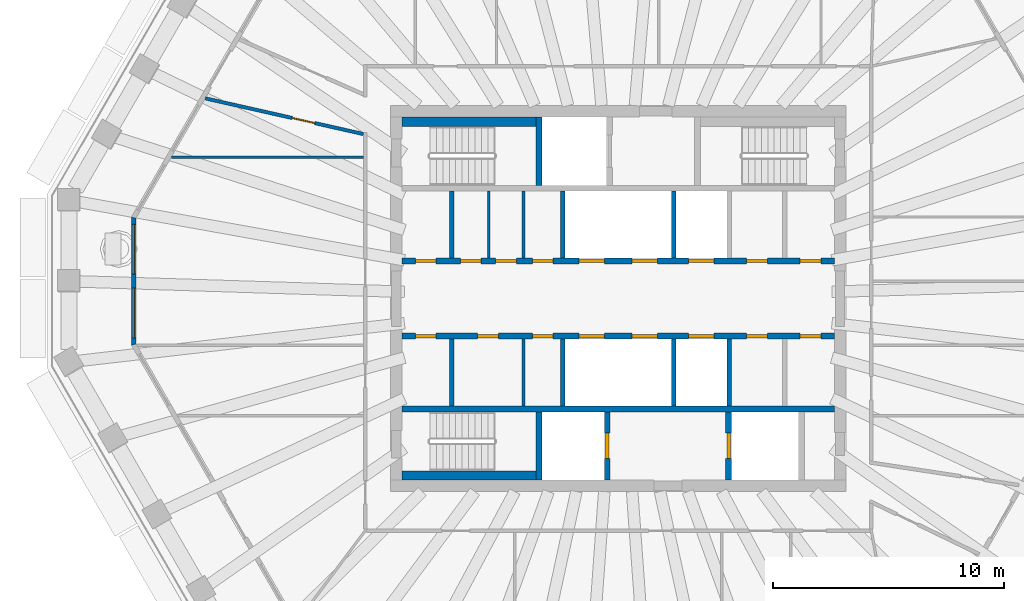
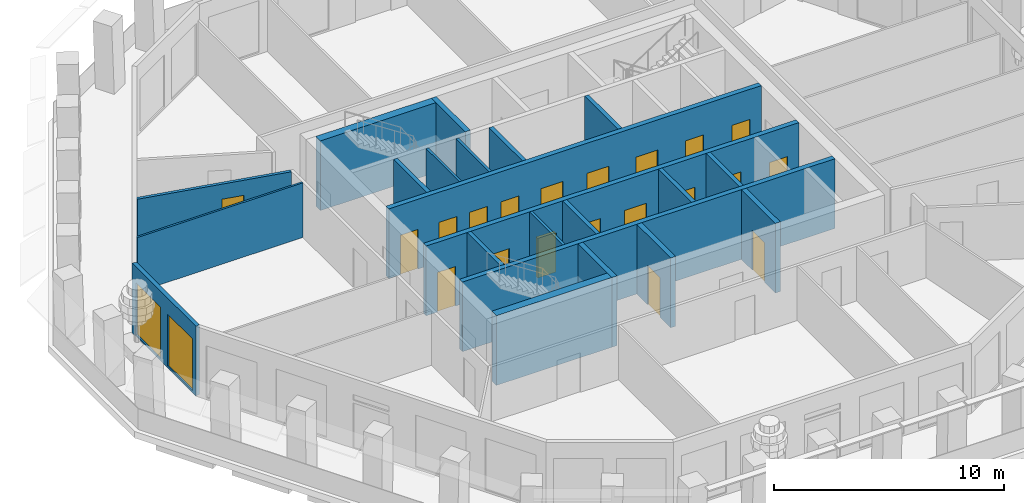
# One storey, part 4 of 11: 22 walls, 20 doors, 2 windows, 22 openings.
"""IFC4 building model written with IfcOpenShell, lengths in metres."""

from ifc_helpers import new_model, si_unit, direction, frame, frame_2d, origin, place, context, subcontext, project, spatial, polyline, rectangle, outline, extrude, material, layer, layer_set, type_object, element, fill, save


model = new_model("IFC4")

# Units and contexts
model_context = context("Model", 3, precision=1e-05, world=origin(), true_north=direction((0.0, 1.0)))
body_context = subcontext(model_context, "Body", "Model", "MODEL_VIEW")
ifc_project = project(units=[si_unit("LENGTHUNIT", "METRE"), si_unit("AREAUNIT", "SQUARE_METRE"), si_unit("VOLUMEUNIT", "CUBIC_METRE"), si_unit("PLANEANGLEUNIT", "RADIAN"), si_unit("MASSUNIT", "GRAM", prefix="KILO")], contexts=[model_context])

# Site, building, storey
site_placement = place(None, origin())
site = spatial("IfcSite", under=ifc_project, at=site_placement, CompositionType="ELEMENT")
building_placement = place(site_placement, origin())
building = spatial("IfcBuilding", under=site, at=building_placement, Name="Frailejon Research Tower", CompositionType="ELEMENT")
storey_placement = place(building_placement, frame((0.0, 0.0, 287.0)))
storey = spatial("IfcBuildingStorey", under=building, at=storey_placement, Name="L63", CompositionType="ELEMENT", Elevation=287.0)

# Walls
ifc_material_1 = material(Name="Plasterboard on steel studs", Category="steel")
ifc_layer_1 = layer(ifc_material_1, 0.125)
ifc_layer_set_1 = layer_set([ifc_layer_1], Name="Core partition 125")
wall_type_1 = type_object("IfcWallType", Name="Core partition 125", PredefinedType="PARTITIONING", material=ifc_layer_set_1)
for number, where, z_axis, x_axis, name in (
    (1, (-5.60009765625, 1.75, 0.0), (0.0, 0.0, 1.0), (0.0, 1.0, 0.0), "Core partition"),
    (2, (-4.10009765625, 1.75, 0.0), (0.0, 0.0, 1.0), (0.0, 1.0, 0.0), "Core partition"),
    (3, (-4.10009765625, -4.64990234375, 0.0), (0.0, 0.0, 1.0), (0.0, 1.0, 0.0), "Core partition"),
):
    element("IfcWall", number, at=place(storey_placement, frame(where, z_axis=z_axis, x_axis=x_axis)), inside=storey, type_object=wall_type_1, Name=name, PredefinedType="PARTITIONING", context=body_context, shape_type="SweptSolid", body=[
        extrude(rectangle(XDim=2.89990234375, YDim=0.125, at=frame_2d((1.449951171875, 0.0))), origin(), (0.0, 0.0, 1.0), 3.699951171875),
    ])

# Wall, opening, door
ifc_material_2 = material(Name="Gypsum board and masonry partition", Category="masonry")
ifc_layer_2 = layer(ifc_material_2, 0.14990234375)
ifc_layer_set_2 = layer_set([ifc_layer_2], Name="Corridor wall EI 60, gypsum on steel studs 150")
wall_type_2 = type_object("IfcWallType", Name="Corridor wall EI 60, gypsum on steel studs 150", PredefinedType="PARTITIONING", material=ifc_layer_set_2)
wall_1_placement = place(storey_placement, frame((-17.866943359375, 8.662109375, 0.0), z_axis=(0.0, 0.0, 1.0), x_axis=(0.975432078053, -0.220300388347, 0.0)))
wall_1 = element("IfcWall", 4, at=wall_1_placement, inside=storey, type_object=wall_type_2, Name="T:IW:L63:002", PredefinedType="PARTITIONING", context=body_context, shape_type="SweptSolid", body=[
    extrude(rectangle(XDim=7.01611328125, YDim=0.14990234375, at=frame_2d((3.508056640625, 0.0))), origin(), (0.0, 0.0, 1.0), 2.89990234375),
])
opening_1_placement = place(wall_1_placement, frame((3.854248046875, 0.0, 0.0)))
opening_1 = element("IfcOpeningElement", 5, at=opening_1_placement, cuts=wall_1, Name="Opening D2213", PredefinedType="OPENING", context=body_context, shape_type="SweptSolid", body=[
    extrude(rectangle(XDim=1.0, YDim=2.10009765625, at=frame_2d((0.5, 1.050048828125))), frame((0.0, 0.0849609375, 0.0), z_axis=(0.0, -1.0, 0.0), x_axis=(1.0, 0.0, 0.0)), (0.0, 0.0, 1.0), 0.169921875),
])
ifc_material_3 = material(Name="Timber door leaf", Category="wood")
door_type_1 = type_object("IfcDoorType", Name="Door single leaf, timber, steel frame 1000", OperationType="NOTDEFINED", PredefinedType="DOOR", material=ifc_material_3)
door_1_placement = place(opening_1_placement, origin())
door_1 = element("IfcDoor", 6, at=door_1_placement, inside=storey, type_object=door_type_1, Name="D2213", OperationType="SINGLE_SWING_LEFT", OverallHeight=2.10009765625, OverallWidth=1.0, PredefinedType="DOOR", context=body_context, shape_type="SweptSolid", body=[
    extrude(rectangle(XDim=1.0, YDim=2.10009765625, at=frame_2d((0.5, 1.050048828125))), frame((0.0, 0.02490234375, 0.0), z_axis=(0.0, -1.0, 0.0), x_axis=(1.0, 0.0, 0.0)), (0.0, 0.0, 1.0), 0.050048828125),
])
fill(opening_1, door_1)

# Walls
ifc_material_4 = material(Name="Gypsum board and masonry partition", Category="masonry")
ifc_layer_3 = layer(ifc_material_4, 0.10009765625)
ifc_layer_set_3 = layer_set([ifc_layer_3], Name="Partition, gypsum on steel studs 100")
wall_type_3 = type_object("IfcWallType", Name="Partition, gypsum on steel studs 100", PredefinedType="PARTITIONING", material=ifc_layer_set_3)
wall_2_placement = place(storey_placement, frame((-19.334228515625, 6.12060546875, 0.0), z_axis=(0.0, 0.0, 1.0), x_axis=(1.0, 0.0, 0.0)))
element("IfcWall", 7, at=wall_2_placement, inside=storey, type_object=wall_type_3, Name="T:IW:L63:019", PredefinedType="PARTITIONING", context=body_context, shape_type="SweptSolid", body=[
    extrude(rectangle(XDim=8.309326171875, YDim=0.10009765625, at=frame_2d((4.15478515625, 0.0))), origin(), (0.0, 0.0, 1.0), 2.89990234375),
])
ifc_material_5 = material(Name="Concrete C50/60", Category="concrete")
ifc_layer_4 = layer(ifc_material_5, 0.199951171875)
ifc_layer_set_4 = layer_set([ifc_layer_4], Name="Shaft wall 200 C50/60")
wall_type_4 = type_object("IfcWallType", Name="Shaft wall 200 C50/60", PredefinedType="SOLIDWALL", material=ifc_layer_set_4)
for number, where, z_axis, x_axis, name in (
    (8, (-7.199951171875, 1.75, 0.0), (0.0, 0.0, 1.0), (0.0, 1.0, 0.0), "Shaft wall"),
    (9, (-2.39990234375, 1.75, 0.0), (0.0, 0.0, 1.0), (0.0, 1.0, 0.0), "Shaft wall"),
    (10, (2.39990234375, 1.75, 0.0), (0.0, 0.0, 1.0), (0.0, 1.0, 0.0), "Shaft wall"),
    (11, (-7.199951171875, -4.64990234375, 0.0), (0.0, 0.0, 1.0), (0.0, 1.0, 0.0), "Shaft wall"),
    (12, (-2.39990234375, -4.64990234375, 0.0), (0.0, 0.0, 1.0), (0.0, 1.0, 0.0), "Shaft wall"),
    (13, (2.39990234375, -4.64990234375, 0.0), (0.0, 0.0, 1.0), (0.0, 1.0, 0.0), "Shaft wall"),
    (14, (4.800048828125, -4.64990234375, 0.0), (0.0, 0.0, 1.0), (0.0, 1.0, 0.0), "Shaft wall"),
):
    element("IfcWall", number, at=place(storey_placement, frame(where, z_axis=z_axis, x_axis=x_axis)), inside=storey, type_object=wall_type_4, Name=name, PredefinedType="SOLIDWALL", context=body_context, shape_type="SweptSolid", body=[
        extrude(rectangle(XDim=2.89990234375, YDim=0.199951171875, at=frame_2d((1.449951171875, 0.0))), origin(), (0.0, 0.0, 1.0), 3.699951171875),
    ])

# Wall, openings, doors
ifc_material_6 = material(Name="Concrete C50/60", Category="concrete")
ifc_layer_5 = layer(ifc_material_6, 0.25)
ifc_layer_set_5 = layer_set([ifc_layer_5], Name="Shaft wall 250 C50/60")
wall_type_5 = type_object("IfcWallType", Name="Shaft wall 250 C50/60", PredefinedType="SOLIDWALL", material=ifc_layer_set_5)
wall_3_placement = place(storey_placement, frame((-9.35009765625, 1.625, 0.0), z_axis=(0.0, 0.0, 1.0), x_axis=(1.0, 0.0, 0.0)))
wall_3 = element("IfcWall", 15, at=wall_3_placement, inside=storey, type_object=wall_type_5, Name="Shaft wall", PredefinedType="SOLIDWALL", context=body_context, shape_type="SweptSolid", body=[
    extrude(rectangle(XDim=18.7001953125, YDim=0.25, at=frame_2d((9.35009765625, 0.0))), origin(), (0.0, 0.0, 1.0), 3.699951171875),
])
opening_2_placement = place(wall_3_placement, frame((7.64990234375, 0.0, 0.0)))
opening_2 = element("IfcOpeningElement", 16, at=opening_2_placement, cuts=wall_3, Name="Opening LD", PredefinedType="OPENING", context=body_context, shape_type="SweptSolid", body=[
    extrude(rectangle(XDim=1.10009765625, YDim=2.10009765625, at=frame_2d((0.550048828125, 1.050048828125))), frame((0.0, 0.135009765625, 0.0), z_axis=(0.0, -1.0, 0.0), x_axis=(1.0, 0.0, 0.0)), (0.0, 0.0, 1.0), 0.27001953125),
])
opening_3_placement = place(wall_3_placement, frame((9.949951171875, 0.0, 0.0)))
opening_3 = element("IfcOpeningElement", 17, at=opening_3_placement, cuts=wall_3, Name="Opening LD", PredefinedType="OPENING", context=body_context, shape_type="SweptSolid", body=[
    extrude(rectangle(XDim=1.10009765625, YDim=2.10009765625, at=frame_2d((0.550048828125, 1.050048828125))), frame((0.0, 0.135009765625, 0.0), z_axis=(0.0, -1.0, 0.0), x_axis=(1.0, 0.0, 0.0)), (0.0, 0.0, 1.0), 0.27001953125),
])
opening_4_placement = place(wall_3_placement, frame((12.39990234375, 0.0, 0.0)))
opening_4 = element("IfcOpeningElement", 18, at=opening_4_placement, cuts=wall_3, Name="Opening LD", PredefinedType="OPENING", context=body_context, shape_type="SweptSolid", body=[
    extrude(rectangle(XDim=1.10009765625, YDim=2.10009765625, at=frame_2d((0.550048828125, 1.050048828125))), frame((0.0, 0.135009765625, 0.0), z_axis=(0.0, -1.0, 0.0), x_axis=(1.0, 0.0, 0.0)), (0.0, 0.0, 1.0), 0.27001953125),
])
opening_5_placement = place(wall_3_placement, frame((0.574951171875, 0.0, 0.0)))
opening_5 = element("IfcOpeningElement", 19, at=opening_5_placement, cuts=wall_3, Name="Opening D8", PredefinedType="OPENING", context=body_context, shape_type="SweptSolid", body=[
    extrude(rectangle(XDim=0.89990234375, YDim=2.10009765625, at=frame_2d((0.449951171875, 1.050048828125))), frame((0.0, 0.135009765625, 0.0), z_axis=(0.0, -1.0, 0.0), x_axis=(1.0, 0.0, 0.0)), (0.0, 0.0, 1.0), 0.27001953125),
])
opening_6_placement = place(wall_3_placement, frame((2.518798828125, 0.0, 0.0)))
opening_6 = element("IfcOpeningElement", 20, at=opening_6_placement, cuts=wall_3, Name="Opening D8", PredefinedType="OPENING", context=body_context, shape_type="SweptSolid", body=[
    extrude(rectangle(XDim=0.89990234375, YDim=2.10009765625, at=frame_2d((0.449951171875, 1.050048828125))), frame((0.0, 0.135009765625, 0.0), z_axis=(0.0, -1.0, 0.0), x_axis=(1.0, 0.0, 0.0)), (0.0, 0.0, 1.0), 0.27001953125),
])
opening_7_placement = place(wall_3_placement, frame((4.050048828125, 0.0, 0.0)))
opening_7 = element("IfcOpeningElement", 21, at=opening_7_placement, cuts=wall_3, Name="Opening D8", PredefinedType="OPENING", context=body_context, shape_type="SweptSolid", body=[
    extrude(rectangle(XDim=0.89990234375, YDim=2.10009765625, at=frame_2d((0.449951171875, 1.050048828125))), frame((0.0, 0.135009765625, 0.0), z_axis=(0.0, -1.0, 0.0), x_axis=(1.0, 0.0, 0.0)), (0.0, 0.0, 1.0), 0.27001953125),
])
opening_8_placement = place(wall_3_placement, frame((5.631103515625, 0.0, 0.0)))
opening_8 = element("IfcOpeningElement", 22, at=opening_8_placement, cuts=wall_3, Name="Opening D8", PredefinedType="OPENING", context=body_context, shape_type="SweptSolid", body=[
    extrude(rectangle(XDim=0.89990234375, YDim=2.10009765625, at=frame_2d((0.449951171875, 1.050048828125))), frame((0.0, 0.135009765625, 0.0), z_axis=(0.0, -1.0, 0.0), x_axis=(1.0, 0.0, 0.0)), (0.0, 0.0, 1.0), 0.27001953125),
])
opening_9_placement = place(wall_3_placement, frame((14.89990234375, 0.0, 0.0)))
opening_9 = element("IfcOpeningElement", 23, at=opening_9_placement, cuts=wall_3, Name="Opening D8", PredefinedType="OPENING", context=body_context, shape_type="SweptSolid", body=[
    extrude(rectangle(XDim=0.89990234375, YDim=2.10009765625, at=frame_2d((0.449951171875, 1.050048828125))), frame((0.0, 0.135009765625, 0.0), z_axis=(0.0, -1.0, 0.0), x_axis=(1.0, 0.0, 0.0)), (0.0, 0.0, 1.0), 0.27001953125),
])
opening_10_placement = place(wall_3_placement, frame((17.22509765625, 0.0, 0.0)))
opening_10 = element("IfcOpeningElement", 24, at=opening_10_placement, cuts=wall_3, Name="Opening D8", PredefinedType="OPENING", context=body_context, shape_type="SweptSolid", body=[
    extrude(rectangle(XDim=0.89990234375, YDim=2.10009765625, at=frame_2d((0.449951171875, 1.050048828125))), frame((0.0, 0.135009765625, 0.0), z_axis=(0.0, -1.0, 0.0), x_axis=(1.0, 0.0, 0.0)), (0.0, 0.0, 1.0), 0.27001953125),
])
ifc_material_7 = material(Name="Steel", Category="steel")
door_type_2 = type_object("IfcDoorType", Name="Core room door", OperationType="SINGLE_SWING_LEFT", PredefinedType="DOOR", material=ifc_material_7)
door_2_placement = place(opening_5_placement, origin())
door_2 = element("IfcDoor", 25, at=door_2_placement, inside=storey, type_object=door_type_2, Name="Room door", OperationType="SINGLE_SWING_RIGHT", OverallHeight=2.10009765625, OverallWidth=0.89990234375, PredefinedType="DOOR", context=body_context, shape_type="SweptSolid", body=[
    extrude(rectangle(XDim=0.89990234375, YDim=2.10009765625, at=frame_2d((0.449951171875, 1.050048828125))), frame((0.0, 0.074951171875, 0.0), z_axis=(0.0, -1.0, 0.0), x_axis=(1.0, 0.0, 0.0)), (0.0, 0.0, 1.0), 0.14990234375),
])
fill(opening_5, door_2)
door_3_placement = place(opening_6_placement, origin())
door_3 = element("IfcDoor", 26, at=door_3_placement, inside=storey, type_object=door_type_2, Name="Room door", OperationType="SINGLE_SWING_LEFT", OverallHeight=2.10009765625, OverallWidth=0.89990234375, PredefinedType="DOOR", context=body_context, shape_type="SweptSolid", body=[
    extrude(rectangle(XDim=0.89990234375, YDim=2.10009765625, at=frame_2d((0.449951171875, 1.050048828125))), frame((0.0, 0.074951171875, 0.0), z_axis=(0.0, -1.0, 0.0), x_axis=(1.0, 0.0, 0.0)), (0.0, 0.0, 1.0), 0.14990234375),
])
fill(opening_6, door_3)
door_4_placement = place(opening_7_placement, origin())
door_4 = element("IfcDoor", 27, at=door_4_placement, inside=storey, type_object=door_type_2, Name="Room door", OperationType="SINGLE_SWING_RIGHT", OverallHeight=2.10009765625, OverallWidth=0.89990234375, PredefinedType="DOOR", context=body_context, shape_type="SweptSolid", body=[
    extrude(rectangle(XDim=0.89990234375, YDim=2.10009765625, at=frame_2d((0.449951171875, 1.050048828125))), frame((0.0, 0.074951171875, 0.0), z_axis=(0.0, -1.0, 0.0), x_axis=(1.0, 0.0, 0.0)), (0.0, 0.0, 1.0), 0.14990234375),
])
fill(opening_7, door_4)
door_5_placement = place(opening_8_placement, origin())
door_5 = element("IfcDoor", 28, at=door_5_placement, inside=storey, type_object=door_type_2, Name="Room door", OperationType="SINGLE_SWING_LEFT", OverallHeight=2.10009765625, OverallWidth=0.89990234375, PredefinedType="DOOR", context=body_context, shape_type="SweptSolid", body=[
    extrude(rectangle(XDim=0.89990234375, YDim=2.10009765625, at=frame_2d((0.449951171875, 1.050048828125))), frame((0.0, 0.074951171875, 0.0), z_axis=(0.0, -1.0, 0.0), x_axis=(1.0, 0.0, 0.0)), (0.0, 0.0, 1.0), 0.14990234375),
])
fill(opening_8, door_5)
door_6_placement = place(opening_9_placement, origin())
door_6 = element("IfcDoor", 29, at=door_6_placement, inside=storey, type_object=door_type_2, Name="Room door", OperationType="SINGLE_SWING_RIGHT", OverallHeight=2.10009765625, OverallWidth=0.89990234375, PredefinedType="DOOR", context=body_context, shape_type="SweptSolid", body=[
    extrude(rectangle(XDim=0.89990234375, YDim=2.10009765625, at=frame_2d((0.449951171875, 1.050048828125))), frame((0.0, 0.074951171875, 0.0), z_axis=(0.0, -1.0, 0.0), x_axis=(1.0, 0.0, 0.0)), (0.0, 0.0, 1.0), 0.14990234375),
])
fill(opening_9, door_6)
door_7_placement = place(opening_10_placement, origin())
door_7 = element("IfcDoor", 30, at=door_7_placement, inside=storey, type_object=door_type_2, Name="Room door", OperationType="SINGLE_SWING_LEFT", OverallHeight=2.10009765625, OverallWidth=0.89990234375, PredefinedType="DOOR", context=body_context, shape_type="SweptSolid", body=[
    extrude(rectangle(XDim=0.89990234375, YDim=2.10009765625, at=frame_2d((0.449951171875, 1.050048828125))), frame((0.0, 0.074951171875, 0.0), z_axis=(0.0, -1.0, 0.0), x_axis=(1.0, 0.0, 0.0)), (0.0, 0.0, 1.0), 0.14990234375),
])
fill(opening_10, door_7)
ifc_material_8 = material(Name="Steel", Category="steel")
door_type_3 = type_object("IfcDoorType", Name="Lift landing door", OperationType="DOUBLE_DOOR_SLIDING", PredefinedType="DOOR", material=ifc_material_8)
door_8_placement = place(opening_2_placement, origin())
door_8 = element("IfcDoor", 31, at=door_8_placement, inside=storey, type_object=door_type_3, Name="Lift landing door", OperationType="DOUBLE_DOOR_SLIDING", OverallHeight=2.10009765625, OverallWidth=1.10009765625, PredefinedType="DOOR", context=body_context, shape_type="SweptSolid", body=[
    extrude(rectangle(XDim=1.10009765625, YDim=2.10009765625, at=frame_2d((0.550048828125, 1.050048828125))), frame((0.0, 0.074951171875, 0.0), z_axis=(0.0, -1.0, 0.0), x_axis=(1.0, 0.0, 0.0)), (0.0, 0.0, 1.0), 0.14990234375),
])
fill(opening_2, door_8)
door_9_placement = place(opening_3_placement, origin())
door_9 = element("IfcDoor", 32, at=door_9_placement, inside=storey, type_object=door_type_3, Name="Lift landing door", OperationType="DOUBLE_DOOR_SLIDING", OverallHeight=2.10009765625, OverallWidth=1.10009765625, PredefinedType="DOOR", context=body_context, shape_type="SweptSolid", body=[
    extrude(rectangle(XDim=1.10009765625, YDim=2.10009765625, at=frame_2d((0.550048828125, 1.050048828125))), frame((0.0, 0.074951171875, 0.0), z_axis=(0.0, -1.0, 0.0), x_axis=(1.0, 0.0, 0.0)), (0.0, 0.0, 1.0), 0.14990234375),
])
fill(opening_3, door_9)
door_10_placement = place(opening_4_placement, origin())
door_10 = element("IfcDoor", 33, at=door_10_placement, inside=storey, type_object=door_type_3, Name="Lift landing door", OperationType="DOUBLE_DOOR_SLIDING", OverallHeight=2.10009765625, OverallWidth=1.10009765625, PredefinedType="DOOR", context=body_context, shape_type="SweptSolid", body=[
    extrude(rectangle(XDim=1.10009765625, YDim=2.10009765625, at=frame_2d((0.550048828125, 1.050048828125))), frame((0.0, 0.074951171875, 0.0), z_axis=(0.0, -1.0, 0.0), x_axis=(1.0, 0.0, 0.0)), (0.0, 0.0, 1.0), 0.14990234375),
])
fill(opening_4, door_10)

wall_4_placement = place(storey_placement, frame((-9.35009765625, -1.625, 0.0), z_axis=(0.0, 0.0, 1.0), x_axis=(1.0, 0.0, 0.0)))
wall_4 = element("IfcWall", 34, at=wall_4_placement, inside=storey, type_object=wall_type_5, Name="Shaft wall", PredefinedType="SOLIDWALL", context=body_context, shape_type="SweptSolid", body=[
    extrude(rectangle(XDim=18.7001953125, YDim=0.25, at=frame_2d((9.35009765625, 0.0))), origin(), (0.0, 0.0, 1.0), 3.699951171875),
])
opening_11_placement = place(wall_4_placement, frame((7.64990234375, 0.0, 0.0)))
opening_11 = element("IfcOpeningElement", 35, at=opening_11_placement, cuts=wall_4, Name="Opening LD", PredefinedType="OPENING", context=body_context, shape_type="SweptSolid", body=[
    extrude(rectangle(XDim=1.10009765625, YDim=2.10009765625, at=frame_2d((0.550048828125, 1.050048828125))), frame((0.0, 0.135009765625, 0.0), z_axis=(0.0, -1.0, 0.0), x_axis=(1.0, 0.0, 0.0)), (0.0, 0.0, 1.0), 0.27001953125),
])
opening_12_placement = place(wall_4_placement, frame((9.949951171875, 0.0, 0.0)))
opening_12 = element("IfcOpeningElement", 36, at=opening_12_placement, cuts=wall_4, Name="Opening LD", PredefinedType="OPENING", context=body_context, shape_type="SweptSolid", body=[
    extrude(rectangle(XDim=1.10009765625, YDim=2.10009765625, at=frame_2d((0.550048828125, 1.050048828125))), frame((0.0, 0.135009765625, 0.0), z_axis=(0.0, -1.0, 0.0), x_axis=(1.0, 0.0, 0.0)), (0.0, 0.0, 1.0), 0.27001953125),
])
opening_13_placement = place(wall_4_placement, frame((12.39990234375, 0.0, 0.0)))
opening_13 = element("IfcOpeningElement", 37, at=opening_13_placement, cuts=wall_4, Name="Opening LD", PredefinedType="OPENING", context=body_context, shape_type="SweptSolid", body=[
    extrude(rectangle(XDim=1.10009765625, YDim=2.10009765625, at=frame_2d((0.550048828125, 1.050048828125))), frame((0.0, 0.135009765625, 0.0), z_axis=(0.0, -1.0, 0.0), x_axis=(1.0, 0.0, 0.0)), (0.0, 0.0, 1.0), 0.27001953125),
])
opening_14_placement = place(wall_4_placement, frame((0.574951171875, 0.0, 0.0)))
opening_14 = element("IfcOpeningElement", 38, at=opening_14_placement, cuts=wall_4, Name="Opening D8", PredefinedType="OPENING", context=body_context, shape_type="SweptSolid", body=[
    extrude(rectangle(XDim=0.89990234375, YDim=2.10009765625, at=frame_2d((0.449951171875, 1.050048828125))), frame((0.0, 0.135009765625, 0.0), z_axis=(0.0, -1.0, 0.0), x_axis=(1.0, 0.0, 0.0)), (0.0, 0.0, 1.0), 0.27001953125),
])
opening_15_placement = place(wall_4_placement, frame((3.268798828125, 0.0, 0.0)))
opening_15 = element("IfcOpeningElement", 39, at=opening_15_placement, cuts=wall_4, Name="Opening D8", PredefinedType="OPENING", context=body_context, shape_type="SweptSolid", body=[
    extrude(rectangle(XDim=0.89990234375, YDim=2.10009765625, at=frame_2d((0.449951171875, 1.050048828125))), frame((0.0, 0.135009765625, 0.0), z_axis=(0.0, -1.0, 0.0), x_axis=(1.0, 0.0, 0.0)), (0.0, 0.0, 1.0), 0.27001953125),
])
opening_16_placement = place(wall_4_placement, frame((5.631103515625, 0.0, 0.0)))
opening_16 = element("IfcOpeningElement", 40, at=opening_16_placement, cuts=wall_4, Name="Opening D8", PredefinedType="OPENING", context=body_context, shape_type="SweptSolid", body=[
    extrude(rectangle(XDim=0.89990234375, YDim=2.10009765625, at=frame_2d((0.449951171875, 1.050048828125))), frame((0.0, 0.135009765625, 0.0), z_axis=(0.0, -1.0, 0.0), x_axis=(1.0, 0.0, 0.0)), (0.0, 0.0, 1.0), 0.27001953125),
])
opening_17_placement = place(wall_4_placement, frame((14.89990234375, 0.0, 0.0)))
opening_17 = element("IfcOpeningElement", 41, at=opening_17_placement, cuts=wall_4, Name="Opening D8", PredefinedType="OPENING", context=body_context, shape_type="SweptSolid", body=[
    extrude(rectangle(XDim=0.89990234375, YDim=2.10009765625, at=frame_2d((0.449951171875, 1.050048828125))), frame((0.0, 0.135009765625, 0.0), z_axis=(0.0, -1.0, 0.0), x_axis=(1.0, 0.0, 0.0)), (0.0, 0.0, 1.0), 0.27001953125),
])
opening_18_placement = place(wall_4_placement, frame((17.22509765625, 0.0, 0.0)))
opening_18 = element("IfcOpeningElement", 42, at=opening_18_placement, cuts=wall_4, Name="Opening D8", PredefinedType="OPENING", context=body_context, shape_type="SweptSolid", body=[
    extrude(rectangle(XDim=0.89990234375, YDim=2.10009765625, at=frame_2d((0.449951171875, 1.050048828125))), frame((0.0, 0.135009765625, 0.0), z_axis=(0.0, -1.0, 0.0), x_axis=(1.0, 0.0, 0.0)), (0.0, 0.0, 1.0), 0.27001953125),
])
door_11_placement = place(opening_14_placement, origin())
door_11 = element("IfcDoor", 43, at=door_11_placement, inside=storey, type_object=door_type_2, Name="Room door", OperationType="SINGLE_SWING_RIGHT", OverallHeight=2.10009765625, OverallWidth=0.89990234375, PredefinedType="DOOR", context=body_context, shape_type="SweptSolid", body=[
    extrude(rectangle(XDim=0.89990234375, YDim=2.10009765625, at=frame_2d((0.449951171875, 1.050048828125))), frame((0.0, 0.074951171875, 0.0), z_axis=(0.0, -1.0, 0.0), x_axis=(1.0, 0.0, 0.0)), (0.0, 0.0, 1.0), 0.14990234375),
])
fill(opening_14, door_11)
door_12_placement = place(opening_15_placement, origin())
door_12 = element("IfcDoor", 44, at=door_12_placement, inside=storey, type_object=door_type_2, Name="Room door", OperationType="SINGLE_SWING_LEFT", OverallHeight=2.10009765625, OverallWidth=0.89990234375, PredefinedType="DOOR", context=body_context, shape_type="SweptSolid", body=[
    extrude(rectangle(XDim=0.89990234375, YDim=2.10009765625, at=frame_2d((0.449951171875, 1.050048828125))), frame((0.0, 0.074951171875, 0.0), z_axis=(0.0, -1.0, 0.0), x_axis=(1.0, 0.0, 0.0)), (0.0, 0.0, 1.0), 0.14990234375),
])
fill(opening_15, door_12)
door_13_placement = place(opening_16_placement, origin())
door_13 = element("IfcDoor", 45, at=door_13_placement, inside=storey, type_object=door_type_2, Name="Room door", OperationType="SINGLE_SWING_RIGHT", OverallHeight=2.10009765625, OverallWidth=0.89990234375, PredefinedType="DOOR", context=body_context, shape_type="SweptSolid", body=[
    extrude(rectangle(XDim=0.89990234375, YDim=2.10009765625, at=frame_2d((0.449951171875, 1.050048828125))), frame((0.0, 0.074951171875, 0.0), z_axis=(0.0, -1.0, 0.0), x_axis=(1.0, 0.0, 0.0)), (0.0, 0.0, 1.0), 0.14990234375),
])
fill(opening_16, door_13)
door_14_placement = place(opening_17_placement, origin())
door_14 = element("IfcDoor", 46, at=door_14_placement, inside=storey, type_object=door_type_2, Name="Room door", OperationType="SINGLE_SWING_LEFT", OverallHeight=2.10009765625, OverallWidth=0.89990234375, PredefinedType="DOOR", context=body_context, shape_type="SweptSolid", body=[
    extrude(rectangle(XDim=0.89990234375, YDim=2.10009765625, at=frame_2d((0.449951171875, 1.050048828125))), frame((0.0, 0.074951171875, 0.0), z_axis=(0.0, -1.0, 0.0), x_axis=(1.0, 0.0, 0.0)), (0.0, 0.0, 1.0), 0.14990234375),
])
fill(opening_17, door_14)
door_15_placement = place(opening_18_placement, origin())
door_15 = element("IfcDoor", 47, at=door_15_placement, inside=storey, type_object=door_type_2, Name="Room door", OperationType="SINGLE_SWING_RIGHT", OverallHeight=2.10009765625, OverallWidth=0.89990234375, PredefinedType="DOOR", context=body_context, shape_type="SweptSolid", body=[
    extrude(rectangle(XDim=0.89990234375, YDim=2.10009765625, at=frame_2d((0.449951171875, 1.050048828125))), frame((0.0, 0.074951171875, 0.0), z_axis=(0.0, -1.0, 0.0), x_axis=(1.0, 0.0, 0.0)), (0.0, 0.0, 1.0), 0.14990234375),
])
fill(opening_18, door_15)
door_16_placement = place(opening_11_placement, origin())
door_16 = element("IfcDoor", 48, at=door_16_placement, inside=storey, type_object=door_type_3, Name="Lift landing door", OperationType="DOUBLE_DOOR_SLIDING", OverallHeight=2.10009765625, OverallWidth=1.10009765625, PredefinedType="DOOR", context=body_context, shape_type="SweptSolid", body=[
    extrude(rectangle(XDim=1.10009765625, YDim=2.10009765625, at=frame_2d((0.550048828125, 1.050048828125))), frame((0.0, 0.074951171875, 0.0), z_axis=(0.0, -1.0, 0.0), x_axis=(1.0, 0.0, 0.0)), (0.0, 0.0, 1.0), 0.14990234375),
])
fill(opening_11, door_16)
door_17_placement = place(opening_12_placement, origin())
door_17 = element("IfcDoor", 49, at=door_17_placement, inside=storey, type_object=door_type_3, Name="Lift landing door", OperationType="DOUBLE_DOOR_SLIDING", OverallHeight=2.10009765625, OverallWidth=1.10009765625, PredefinedType="DOOR", context=body_context, shape_type="SweptSolid", body=[
    extrude(rectangle(XDim=1.10009765625, YDim=2.10009765625, at=frame_2d((0.550048828125, 1.050048828125))), frame((0.0, 0.074951171875, 0.0), z_axis=(0.0, -1.0, 0.0), x_axis=(1.0, 0.0, 0.0)), (0.0, 0.0, 1.0), 0.14990234375),
])
fill(opening_12, door_17)
door_18_placement = place(opening_13_placement, origin())
door_18 = element("IfcDoor", 50, at=door_18_placement, inside=storey, type_object=door_type_3, Name="Lift landing door", OperationType="DOUBLE_DOOR_SLIDING", OverallHeight=2.10009765625, OverallWidth=1.10009765625, PredefinedType="DOOR", context=body_context, shape_type="SweptSolid", body=[
    extrude(rectangle(XDim=1.10009765625, YDim=2.10009765625, at=frame_2d((0.550048828125, 1.050048828125))), frame((0.0, 0.074951171875, 0.0), z_axis=(0.0, -1.0, 0.0), x_axis=(1.0, 0.0, 0.0)), (0.0, 0.0, 1.0), 0.14990234375),
])
fill(opening_13, door_18)

# Walls
wall_5_placement = place(storey_placement, frame((-9.35009765625, -4.77490234375, 0.0), z_axis=(0.0, 0.0, 1.0), x_axis=(1.0, 0.0, 0.0)))
element("IfcWall", 51, at=wall_5_placement, inside=storey, type_object=wall_type_5, Name="Shaft wall", PredefinedType="SOLIDWALL", context=body_context, shape_type="SweptSolid", body=[
    extrude(rectangle(XDim=18.7001953125, YDim=0.25, at=frame_2d((9.35009765625, 0.0))), origin(), (0.0, 0.0, 1.0), 3.699951171875),
])
for number, where, z_axis, x_axis, name in (
    (52, (-3.425048828125, 4.89990234375, 0.0), (0.0, 0.0, 1.0), (0.0, 1.0, 0.0), "Shaft wall"),
    (53, (-3.425048828125, -7.85009765625, 0.0), (0.0, 0.0, 1.0), (0.0, 1.0, 0.0), "Shaft wall"),
):
    element("IfcWall", number, at=place(storey_placement, frame(where, z_axis=z_axis, x_axis=x_axis)), inside=storey, type_object=wall_type_5, Name=name, PredefinedType="SOLIDWALL", context=body_context, shape_type="SweptSolid", body=[
        extrude(rectangle(XDim=2.9501953125, YDim=0.25, at=frame_2d((1.47509765625, 0.0))), origin(), (0.0, 0.0, 1.0), 3.699951171875),
    ])

# Wall, opening, door
wall_6_placement = place(storey_placement, frame((-0.47509765625, -7.85009765625, 0.0), z_axis=(0.0, 0.0, 1.0), x_axis=(0.0, 1.0, 0.0)))
wall_6 = element("IfcWall", 54, at=wall_6_placement, inside=storey, type_object=wall_type_5, Name="Shaft wall", PredefinedType="SOLIDWALL", context=body_context, shape_type="SweptSolid", body=[
    extrude(rectangle(XDim=2.9501953125, YDim=0.25, at=frame_2d((1.47509765625, 0.0))), origin(), (0.0, 0.0, 1.0), 3.699951171875),
])
opening_19_placement = place(wall_6_placement, frame((0.925048828125, 0.0, 0.0)))
opening_19 = element("IfcOpeningElement", 55, at=opening_19_placement, cuts=wall_6, Name="Opening LD", PredefinedType="OPENING", context=body_context, shape_type="SweptSolid", body=[
    extrude(rectangle(XDim=1.10009765625, YDim=2.10009765625, at=frame_2d((0.550048828125, 1.050048828125))), frame((0.0, 0.135009765625, 0.0), z_axis=(0.0, -1.0, 0.0), x_axis=(1.0, 0.0, 0.0)), (0.0, 0.0, 1.0), 0.27001953125),
])
door_19_placement = place(opening_19_placement, origin())
door_19 = element("IfcDoor", 56, at=door_19_placement, inside=storey, type_object=door_type_3, Name="Lift landing door", OperationType="DOUBLE_DOOR_SLIDING", OverallHeight=2.10009765625, OverallWidth=1.10009765625, PredefinedType="DOOR", context=body_context, shape_type="SweptSolid", body=[
    extrude(rectangle(XDim=1.10009765625, YDim=2.10009765625, at=frame_2d((0.550048828125, 1.050048828125))), frame((0.0, 0.074951171875, 0.0), z_axis=(0.0, -1.0, 0.0), x_axis=(1.0, 0.0, 0.0)), (0.0, 0.0, 1.0), 0.14990234375),
])
fill(opening_19, door_19)

wall_7_placement = place(storey_placement, frame((4.77490234375, -7.85009765625, 0.0), z_axis=(0.0, 0.0, 1.0), x_axis=(0.0, 1.0, 0.0)))
wall_7 = element("IfcWall", 57, at=wall_7_placement, inside=storey, type_object=wall_type_5, Name="Shaft wall", PredefinedType="SOLIDWALL", context=body_context, shape_type="SweptSolid", body=[
    extrude(rectangle(XDim=2.9501953125, YDim=0.25, at=frame_2d((1.47509765625, 0.0))), origin(), (0.0, 0.0, 1.0), 3.699951171875),
])
opening_20_placement = place(wall_7_placement, frame((0.925048828125, 0.0, 0.0)))
opening_20 = element("IfcOpeningElement", 58, at=opening_20_placement, cuts=wall_7, Name="Opening LD", PredefinedType="OPENING", context=body_context, shape_type="SweptSolid", body=[
    extrude(rectangle(XDim=1.10009765625, YDim=2.10009765625, at=frame_2d((0.550048828125, 1.050048828125))), frame((0.0, 0.135009765625, 0.0), z_axis=(0.0, -1.0, 0.0), x_axis=(1.0, 0.0, 0.0)), (0.0, 0.0, 1.0), 0.27001953125),
])
door_20_placement = place(opening_20_placement, origin())
door_20 = element("IfcDoor", 59, at=door_20_placement, inside=storey, type_object=door_type_3, Name="Lift landing door", OperationType="DOUBLE_DOOR_SLIDING", OverallHeight=2.10009765625, OverallWidth=1.10009765625, PredefinedType="DOOR", context=body_context, shape_type="SweptSolid", body=[
    extrude(rectangle(XDim=1.10009765625, YDim=2.10009765625, at=frame_2d((0.550048828125, 1.050048828125))), frame((0.0, 0.074951171875, 0.0), z_axis=(0.0, -1.0, 0.0), x_axis=(1.0, 0.0, 0.0)), (0.0, 0.0, 1.0), 0.14990234375),
])
fill(opening_20, door_20)

# Walls
ifc_material_9 = material(Name="Concrete C50/60", Category="concrete")
ifc_layer_6 = layer(ifc_material_9, 0.39990234375)
ifc_layer_set_6 = layer_set([ifc_layer_6], Name="Shaft wall 400 C50/60")
wall_type_6 = type_object("IfcWallType", Name="Shaft wall 400 C50/60", PredefinedType="SOLIDWALL", material=ifc_layer_set_6)
for number, where, z_axis, x_axis, name in (
    (60, (-9.35009765625, 7.64990234375, 0.0), (0.0, 0.0, 1.0), (1.0, 0.0, 0.0), "Shaft wall"),
    (61, (-9.35009765625, -7.64990234375, 0.0), (0.0, 0.0, 1.0), (1.0, 0.0, 0.0), "Shaft wall"),
):
    element("IfcWall", number, at=place(storey_placement, frame(where, z_axis=z_axis, x_axis=x_axis)), inside=storey, type_object=wall_type_6, Name=name, PredefinedType="SOLIDWALL", context=body_context, shape_type="SweptSolid", body=[
        extrude(rectangle(XDim=5.800048828125, YDim=0.39990234375, at=frame_2d((2.89990234375, 0.0))), origin(), (0.0, 0.0, 1.0), 3.699951171875),
    ])

# Wall, openings, windows
ifc_material_10 = material(Name="Concrete C40/50 precast window wall panel", Category="concrete")
ifc_layer_7 = layer(ifc_material_10, 0.199951171875)
ifc_layer_set_7 = layer_set([ifc_layer_7], Name="Window wall 200")
wall_type_7 = type_object("IfcWallType", Name="Window wall 200", PredefinedType="SOLIDWALL", material=ifc_layer_set_7)
wall_8_placement = place(storey_placement, frame((-20.959228515625, 3.505859375, 0.0), z_axis=(0.0, 0.0, 1.0), x_axis=(0.0, -1.0, 0.0)))
wall_8 = element("IfcWall", 62, at=wall_8_placement, inside=storey, type_object=wall_type_7, Name="Exterior wall L63", PredefinedType="SOLIDWALL", context=body_context, shape_type="SweptSolid", body=[
    extrude(outline(polyline([(-0.02685546875, -0.10009765625), (1.08447265625, -0.10009765625), (2.196044921875, -0.10009765625), (3.307373046875, -0.10009765625), (4.4189453125, -0.10009765625), (5.5302734375, -0.10009765625), (5.4765625, 0.10009765625), (4.38671875, 0.10009765625), (3.296630859375, 0.10009765625), (2.206787109375, 0.10009765625), (1.11669921875, 0.10009765625), (0.02685546875, 0.10009765625), (-0.02685546875, -0.10009765625)])), origin(), (0.0, 0.0, 1.0), 3.699951171875),
])
opening_21_placement = place(wall_8_placement, frame((0.30078125, 0.0, 0.10009765625)))
opening_21 = element("IfcOpeningElement", 63, at=opening_21_placement, cuts=wall_8, Name="Opening W22", PredefinedType="OPENING", context=body_context, shape_type="SweptSolid", body=[
    extrude(rectangle(XDim=2.14990234375, YDim=2.75, at=frame_2d((1.074951171875, 1.375))), frame((0.0, 0.10986328125, 0.0), z_axis=(0.0, -1.0, 0.0), x_axis=(1.0, 0.0, 0.0)), (0.0, 0.0, 1.0), 0.219970703125),
])
opening_22_placement = place(wall_8_placement, frame((3.052490234375, 0.0, 0.10009765625)))
opening_22 = element("IfcOpeningElement", 64, at=opening_22_placement, cuts=wall_8, Name="Opening W22", PredefinedType="OPENING", context=body_context, shape_type="SweptSolid", body=[
    extrude(rectangle(XDim=2.14990234375, YDim=2.75, at=frame_2d((1.074951171875, 1.375))), frame((0.0, 0.10986328125, 0.0), z_axis=(0.0, -1.0, 0.0), x_axis=(1.0, 0.0, 0.0)), (0.0, 0.0, 1.0), 0.219970703125),
])
ifc_material_11 = material(Name="Aluminium framed double glazing", Category="aluminium")
window_type = type_object("IfcWindowType", Name="Window 2150x2750", PartitioningType="SINGLE_PANEL", PredefinedType="WINDOW", material=ifc_material_11)
window_1_placement = place(opening_21_placement, origin())
window_1 = element("IfcWindow", 65, at=window_1_placement, inside=storey, type_object=window_type, Name="Window L63", OverallHeight=2.75, OverallWidth=2.14990234375, PartitioningType="SINGLE_PANEL", PredefinedType="WINDOW", context=body_context, shape_type="SweptSolid", body=[
    extrude(rectangle(XDim=2.14990234375, YDim=2.75, at=frame_2d((1.074951171875, 1.375))), frame((0.0, 0.030029296875, 0.0), z_axis=(0.0, -1.0, 0.0), x_axis=(1.0, 0.0, 0.0)), (0.0, 0.0, 1.0), 0.06005859375),
])
fill(opening_21, window_1)
window_2_placement = place(opening_22_placement, origin())
window_2 = element("IfcWindow", 66, at=window_2_placement, inside=storey, type_object=window_type, Name="Window L63", OverallHeight=2.75, OverallWidth=2.14990234375, PartitioningType="SINGLE_PANEL", PredefinedType="WINDOW", context=body_context, shape_type="SweptSolid", body=[
    extrude(rectangle(XDim=2.14990234375, YDim=2.75, at=frame_2d((1.074951171875, 1.375))), frame((0.0, 0.030029296875, 0.0), z_axis=(0.0, -1.0, 0.0), x_axis=(1.0, 0.0, 0.0)), (0.0, 0.0, 1.0), 0.06005859375),
])
fill(opening_22, window_2)

save(model, "model.ifc")
